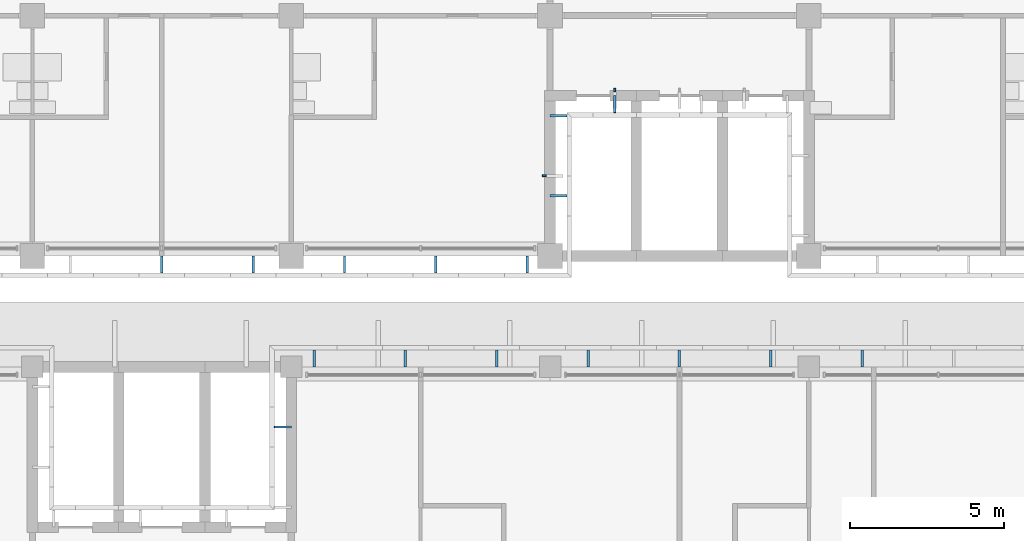
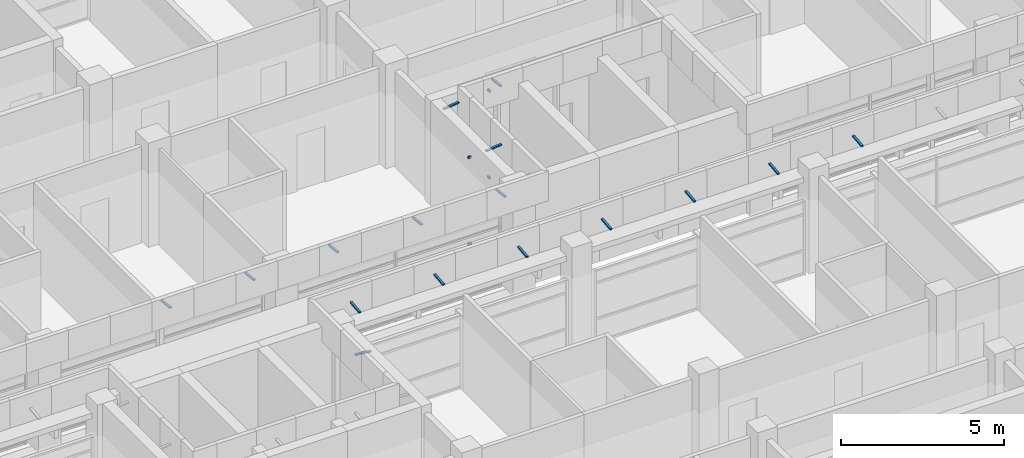
# One storey, part 55 of 71: 20 discrete accessories.
"""IFC4 building model written with IfcOpenShell, lengths in metres."""

import ifcopenshell
import ifcopenshell.guid

model = None  # the IFC model being written
_history = None  # IfcOwnerHistory: only IFC2X3 demands one
_inside = {}  # id of a spatial element -> (the spatial element, [elements in it])
_under = {}  # id of a project, library or spatial element -> (it, [spatial elements below it])
_declared = {}  # id of a project -> (the project, [libraries it declares])
_typed = {}  # id of a type object -> (the type object, [elements of that type])
_made_of = {}  # id of a material, layer set ... -> (it, [elements and type objects made of it])


def new_model(schema):
    """Start an empty IFC model of exactly this schema.

    Asked for "IFC4X3", IfcOpenShell would pick the latest addendum, in which some entities
    have other attributes; the version numbers below select the first issue.
    IFC2X3 requires an IfcOwnerHistory on every rooted entity: one is made here for all.
    """
    global model, _history
    if schema == "IFC4X3":
        model = ifcopenshell.file(schema_version=(4, 3, 0, 0))
    else:
        model = ifcopenshell.file(schema=schema)
    _inside.clear()
    _under.clear()
    _declared.clear()
    _typed.clear()
    _made_of.clear()
    _history = None
    if model.schema == "IFC2X3":
        org = make("IfcOrganization", Name="unknown")
        user = make(
            "IfcPersonAndOrganization",
            ThePerson=make("IfcPerson", FamilyName="unknown"),
            TheOrganization=org,
        )
        app = make(
            "IfcApplication",
            ApplicationDeveloper=org,
            Version="unknown",
            ApplicationFullName="unknown",
            ApplicationIdentifier="unknown",
        )
        _history = make(
            "IfcOwnerHistory",
            OwningUser=user,
            OwningApplication=app,
            ChangeAction="ADDED",
            CreationDate=0,
        )
    return model


def make(cls, **values):
    """One entity of the class cls with the attributes given. An attribute that is None is left unset."""
    return model.create_entity(
        cls, **{name: value for name, value in values.items() if value is not None}
    )


def rooted(cls, **values):
    """An entity with a GlobalId (a new one), such as an element, a storey or a relation."""
    return make(cls, GlobalId=ifcopenshell.guid.new(), OwnerHistory=_history, **values)


def si_unit(unit_type, name, prefix=None):
    """IfcSIUnit, for example si_unit("LENGTHUNIT", "METRE", prefix="MILLI")."""
    return make("IfcSIUnit", UnitType=unit_type, Prefix=prefix, Name=name)


def assignment(units):
    """IfcUnitAssignment: the units of a project."""
    return None if units is None else make("IfcUnitAssignment", Units=units)


def point(xyz):
    """IfcCartesianPoint."""
    return None if xyz is None else make("IfcCartesianPoint", Coordinates=xyz)


def direction(xyz):
    """IfcDirection."""
    return None if xyz is None else make("IfcDirection", DirectionRatios=xyz)


def frame(location, z_axis=None, x_axis=None):
    """IfcAxis2Placement3D, a coordinate frame: its origin and axes. An axis left out is left unset."""
    return make(
        "IfcAxis2Placement3D",
        Location=point(location),
        Axis=direction(z_axis),
        RefDirection=direction(x_axis),
    )


def frame_2d(location, x_axis=None):
    """IfcAxis2Placement2D, a coordinate frame in the plane: its origin and x axis."""
    return make(
        "IfcAxis2Placement2D", Location=point(location), RefDirection=direction(x_axis)
    )


def origin():
    """The frame at (0, 0, 0) with its axes left unset."""
    return frame((0.0, 0.0, 0.0))


def origin_2d():
    """The frame at (0, 0) in the plane with its x axis left unset."""
    return frame_2d((0.0, 0.0))


def place(relative_to, where):
    """IfcLocalPlacement: puts the frame where relative to a parent placement (None: the world)."""
    return make(
        "IfcLocalPlacement", PlacementRelTo=relative_to, RelativePlacement=where
    )


def context(
    kind, dimensions, precision=None, world=None, true_north=None, identifier=None
):
    """IfcGeometricRepresentationContext, for example the 3D "Model" context."""
    return make(
        "IfcGeometricRepresentationContext",
        ContextIdentifier=identifier,
        ContextType=kind,
        CoordinateSpaceDimension=dimensions,
        Precision=precision,
        WorldCoordinateSystem=world,
        TrueNorth=true_north,
    )


def subcontext(parent, identifier, kind, view, scale=None):
    """IfcGeometricRepresentationSubContext, for example "Body" below "Model"."""
    return make(
        "IfcGeometricRepresentationSubContext",
        ContextIdentifier=identifier,
        ContextType=kind,
        ParentContext=parent,
        TargetScale=scale,
        TargetView=view,
    )


def project(units=None, contexts=None):
    """IfcProject with its units and contexts."""
    return rooted(
        "IfcProject",
        Name="project",
        RepresentationContexts=contexts,
        UnitsInContext=assignment(units),
    )


def spatial(cls, under=None, at=None, **own):
    """A site, building, storey or space (cls), placed at a placement, below another one or the project."""
    s = rooted(cls, ObjectPlacement=at, **own)
    if under is not None:
        _under.setdefault(under.id(), (under, []))[1].append(s)
    return s


def profile(cls, at=None, kind="AREA", **sizes):
    """A parametric profile (cls). Its sizes go by their IFC names, for example OverallWidth=200.0."""
    return make(cls, ProfileType=kind, Position=at, **sizes)


def rectangle(**sizes):
    """IfcRectangleProfileDef."""
    return profile("IfcRectangleProfileDef", **sizes)


def extrude(swept, where, along, depth):
    """IfcExtrudedAreaSolid: the profile swept, set in the frame where, extruded along a direction by depth."""
    return make(
        "IfcExtrudedAreaSolid",
        SweptArea=swept,
        Position=where,
        ExtrudedDirection=direction(along),
        Depth=depth,
    )


def shape(context_of_items, identifier, shape_type, items):
    """IfcShapeRepresentation: the items that make up one representation, for example the "Body"."""
    return make(
        "IfcShapeRepresentation",
        ContextOfItems=context_of_items,
        RepresentationIdentifier=identifier,
        RepresentationType=shape_type,
        Items=items,
    )


def material(Name=None, Category=None):
    """IfcMaterial."""
    return make("IfcMaterial", Name=Name, Category=Category)


def material_profile(
    of_material, cross_section, Name=None, Category=None, Priority=None
):
    """IfcMaterialProfile: a cross section and its material."""
    return make(
        "IfcMaterialProfile",
        Name=Name,
        Material=of_material,
        Profile=cross_section,
        Priority=Priority,
        Category=Category,
    )


def profile_set(profiles, Name=None, composite=None):
    """IfcMaterialProfileSet."""
    return make(
        "IfcMaterialProfileSet",
        Name=Name,
        MaterialProfiles=profiles,
        CompositeProfile=composite,
    )


def made_of(thing, what):
    """Note that an element or type object is made of a material, layer set ...; save() writes the relation."""
    if what is not None:
        _made_of.setdefault(what.id(), (what, []))[1].append(thing)
    return thing


def type_object(cls, material=None, **own):
    """A type object (cls), such as IfcWallType, which elements share."""
    return made_of(rooted(cls, **own), material)


def element(
    cls,
    number,
    at=None,
    inside=None,
    cuts=None,
    type_object=None,
    material=None,
    context=None,
    identifier="Body",
    shape_type=None,
    held_by="IfcProductDefinitionShape",
    body=None,
    shapes=None,
    **own,
):
    """One element of the class cls, such as IfcWall. Its Tag is "e" and its number.

    at: its placement. inside: the storey or other place that contains it. cuts: it is an
    opening in that element (IfcRelVoidsElement). A single representation is given by context,
    identifier, shape_type and body (its items); several are given by shapes. held_by: the class
    of the entity that holds the representations. save() writes the other relations.
    """
    e = rooted(cls, Tag="e%d" % number, ObjectPlacement=at, **own)
    if body is not None:
        shapes = [shape(context, identifier, shape_type, body)]
    if shapes is not None:
        e.Representation = make(held_by, Representations=shapes)
    if inside is not None:
        _inside.setdefault(inside.id(), (inside, []))[1].append(e)
    if cuts is not None:
        rooted(
            "IfcRelVoidsElement", RelatingBuildingElement=cuts, RelatedOpeningElement=e
        )
    if type_object is not None:
        _typed.setdefault(type_object.id(), (type_object, []))[1].append(e)
    return made_of(e, material)


def aggregate(whole, parts):
    """IfcRelAggregates: a whole, such as a stair, and the parts it consists of."""
    return rooted("IfcRelAggregates", RelatingObject=whole, RelatedObjects=parts)


def save(model, path):
    """Write the relations noted so far, then the file.

    IfcRelAggregates (storeys below a building ...), IfcRelContainedInSpatialStructure (elements
    in a storey), IfcRelDefinesByType, IfcRelAssociatesMaterial and IfcRelDeclares: one each for
    every whole, place, type object, material and project.
    """
    for whole, parts in _under.values():
        aggregate(whole, parts)
    for where, things in _inside.values():
        rooted(
            "IfcRelContainedInSpatialStructure",
            RelatedElements=things,
            RelatingStructure=where,
        )
    for kind, things in _typed.values():
        rooted("IfcRelDefinesByType", RelatedObjects=things, RelatingType=kind)
    for what, things in _made_of.values():
        rooted("IfcRelAssociatesMaterial", RelatedObjects=things, RelatingMaterial=what)
    for by, libraries in _declared.values():
        rooted("IfcRelDeclares", RelatingContext=by, RelatedDefinitions=libraries)
    model.write(path)


model = new_model("IFC4")

# Units and contexts
model_context = context("Model", 3, precision=1e-05, world=origin(), true_north=direction((0.0, 1.0)))
body_context = subcontext(model_context, "Body", "Model", "MODEL_VIEW")
ifc_project = project(units=[si_unit("LENGTHUNIT", "METRE"), si_unit("AREAUNIT", "SQUARE_METRE"), si_unit("VOLUMEUNIT", "CUBIC_METRE"), si_unit("PLANEANGLEUNIT", "RADIAN"), si_unit("MASSUNIT", "GRAM", prefix="KILO")], contexts=[model_context])

# Site, building, storey
site_placement = place(None, origin())
site = spatial("IfcSite", under=ifc_project, at=site_placement, CompositionType="ELEMENT")
building_placement = place(site_placement, origin())
building = spatial("IfcBuilding", under=site, at=building_placement, Name="Bougainvillea Quay General Hospital", CompositionType="ELEMENT")
storey_placement = place(building_placement, frame((0.0, 0.0, 24.89990234375)))
storey = spatial("IfcBuildingStorey", under=building, at=storey_placement, Name="L05", CompositionType="ELEMENT", Elevation=24.89990234375)

# Discrete accessories
ifc_material = material(Name="Stainless steel bracket, grade 316", Category="steel")
discrete_accessory_type_1 = type_object("IfcDiscreteAccessoryType", Name="Stainless steel fin arm 60x80", PredefinedType="BRACKET", material=ifc_material)
for number, where, z_axis, x_axis, name in (
    (1, (151.010009765625, 143.0, 0.0), (0.0, 0.0, 1.0), (1.0, 0.0, 0.0), "Fin arm V5A L05 07.1B"),
    (2, (151.010009765625, 143.0, 3.25), (0.0, 0.0, 1.0), (1.0, 0.0, 0.0), "Fin arm V5A L05 07.1T"),
    (3, (153.300048828125, 145.7900390625, 0.0), (0.0, 0.0, 1.0), (0.0, -1.0, 0.0), "Fin arm V5A L05 08.3B"),
    (4, (153.300048828125, 145.7900390625, 3.25), (0.0, 0.0, 1.0), (0.0, -1.0, 0.0), "Fin arm V5A L05 08.3T"),
):
    element("IfcDiscreteAccessory", number, at=place(storey_placement, frame(where, z_axis=z_axis, x_axis=x_axis)), inside=storey, type_object=discrete_accessory_type_1, Name=name, PredefinedType="BRACKET", context=body_context, shape_type="SweptSolid", body=[
        extrude(rectangle(XDim=0.1201171875, YDim=0.06005859375, at=origin_2d()), origin(), (0.0, 0.0, 1.0), 0.080078125),
    ])
ifc_material_profile = material_profile(ifc_material, rectangle(XDim=0.080078125, YDim=0.050048828125, at=origin_2d()))
ifc_profile_set = profile_set([ifc_material_profile], Name="Stainless steel bracket, grade 316")
discrete_accessory_type_2 = type_object("IfcDiscreteAccessoryType", Name="Stainless steel stand-off bracket 80x50", PredefinedType="BRACKET", material=ifc_profile_set)
for number, where, z_axis, x_axis, name in (
    (5, (138.60009765625, 140.39990234375, 3.840087890625), (0.0, -0.994086591779, 0.108590276011), (1.0, 0.0, 0.0), "Fascia bracket e0 183"),
    (6, (141.564697265625, 140.39990234375, 3.840087890625), (0.0, -0.994086591779, 0.108590276011), (1.0, 0.0, 0.0), "Fascia bracket e0 185"),
    (7, (144.529296875, 140.39990234375, 3.840087890625), (0.0, -0.994086591779, 0.108590276011), (1.0, 0.0, 0.0), "Fascia bracket e0 187"),
    (8, (147.494140625, 140.39990234375, 3.840087890625), (0.0, -0.994086591779, 0.108590276011), (1.0, 0.0, 0.0), "Fascia bracket e0 189"),
    (9, (150.458740234375, 140.39990234375, 3.840087890625), (0.0, -0.994086591779, 0.108590276011), (1.0, 0.0, 0.0), "Fascia bracket e0 191"),
):
    element("IfcDiscreteAccessory", number, at=place(storey_placement, frame(where, z_axis=z_axis, x_axis=x_axis)), inside=storey, type_object=discrete_accessory_type_2, Name=name, PredefinedType="BRACKET", context=body_context, shape_type="SweptSolid", body=[
        extrude(rectangle(XDim=0.080078125, YDim=0.050048828125, at=origin_2d()), origin(), (0.0, 0.0, 1.0), 0.552978515625),
    ])
for number, where, z_axis, x_axis, name in (
    (10, (151.199951171875, 142.35009765625, 3.840087890625), (0.994091793559, 0.0, 0.108542645901), (0.0, 1.0, 0.0), "Fascia bracket e0 193"),
    (11, (151.199951171875, 144.949951171875, 3.840087890625), (0.994091793559, 0.0, 0.108542645901), (0.0, 1.0, 0.0), "Fascia bracket e0 195"),
    (12, (153.300048828125, 145.60009765625, 3.840087890625), (0.0, -0.994091793559, 0.108542645901), (1.0, 0.0, 0.0), "Fascia bracket e0 197"),
    (13, (161.329345703125, 136.800048828125, 3.840087890625), (0.0, 0.994091793559, 0.108542645901), (-1.0, 0.0, 0.0), "Fascia bracket e0 115"),
    (14, (158.36474609375, 136.800048828125, 3.840087890625), (0.0, 0.994091793559, 0.108542645901), (-1.0, 0.0, 0.0), "Fascia bracket e0 117"),
    (15, (155.39990234375, 136.800048828125, 3.840087890625), (0.0, 0.994091793559, 0.108542645901), (-1.0, 0.0, 0.0), "Fascia bracket e0 119"),
    (16, (152.435302734375, 136.800048828125, 3.840087890625), (0.0, 0.994091793559, 0.108542645901), (-1.0, 0.0, 0.0), "Fascia bracket e0 121"),
    (17, (149.470703125, 136.800048828125, 3.840087890625), (0.0, 0.994091793559, 0.108542645901), (-1.0, 0.0, 0.0), "Fascia bracket e0 123"),
    (18, (146.505859375, 136.800048828125, 3.840087890625), (0.0, 0.994091793559, 0.108542645901), (-1.0, 0.0, 0.0), "Fascia bracket e0 125"),
    (19, (143.541259765625, 136.800048828125, 3.840087890625), (0.0, 0.994091793559, 0.108542645901), (-1.0, 0.0, 0.0), "Fascia bracket e0 127"),
    (20, (142.800048828125, 134.85009765625, 3.840087890625), (-0.994091793559, 0.0, 0.108542645901), (0.0, -1.0, 0.0), "Fascia bracket e0 129"),
):
    element("IfcDiscreteAccessory", number, at=place(storey_placement, frame(where, z_axis=z_axis, x_axis=x_axis)), inside=storey, type_object=discrete_accessory_type_2, Name=name, PredefinedType="BRACKET", context=body_context, shape_type="SweptSolid", body=[
        extrude(rectangle(XDim=0.080078125, YDim=0.050048828125, at=origin_2d()), origin(), (0.0, 0.0, 1.0), 0.55322265625),
    ])

save(model, "model.ifc")
